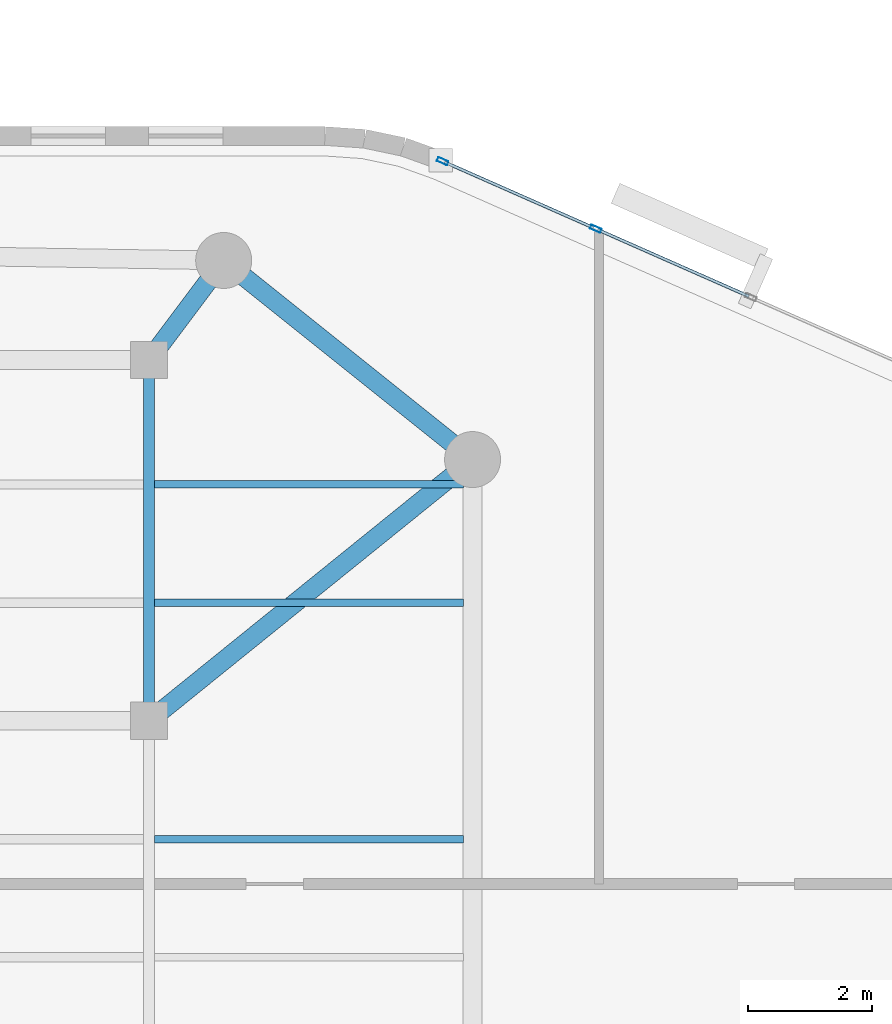
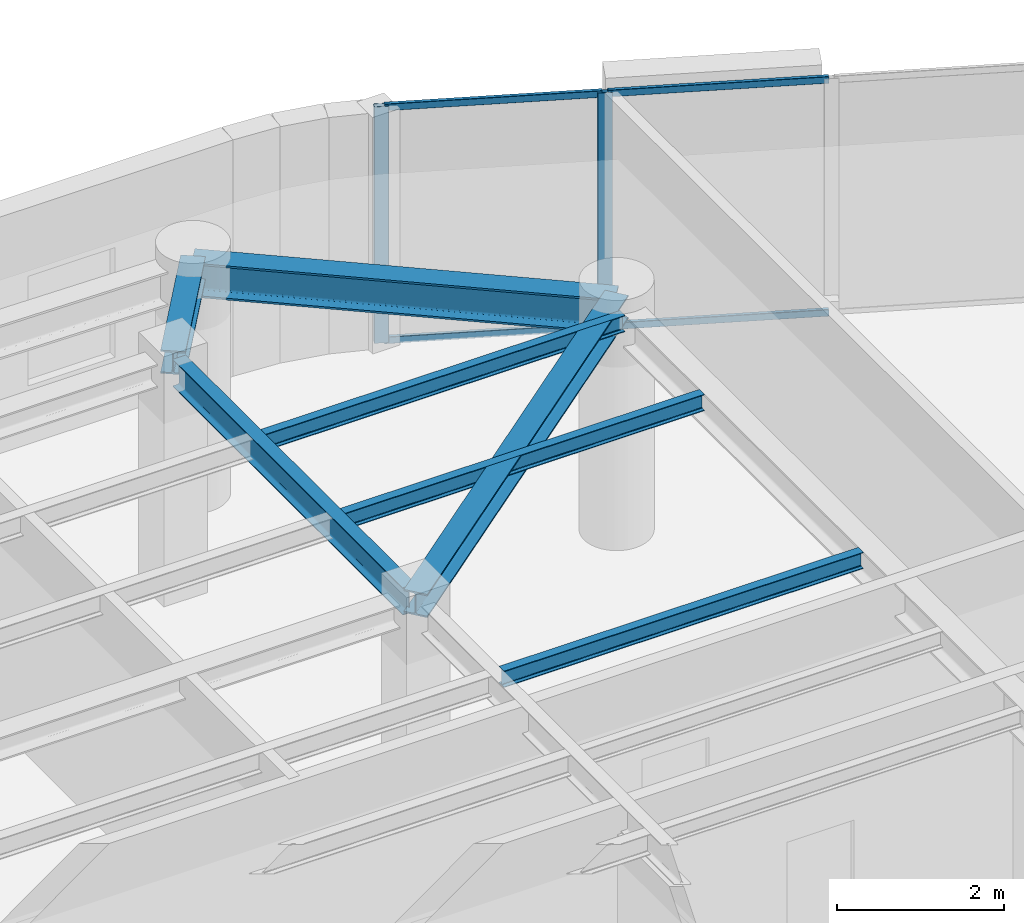
# One storey, part 5 of 14: 7 beams, 6 members, 1 element without a shape of its own.
"""IFC4 building model written with IfcOpenShell, lengths in metres."""

from ifc_helpers import new_model, si_unit, direction, frame, origin, origin_2d, place, context, subcontext, project, spatial, hollow_rectangle, i_section, extrude, material, layer, layer_set, material_profile, profile_set, type_object, element, aggregate, save


model = new_model("IFC4")

# Units and contexts
model_context = context("Model", 3, precision=1e-05, world=origin(), true_north=direction((0.0, 1.0)))
body_context = subcontext(model_context, "Body", "Model", "MODEL_VIEW")
ifc_project = project(units=[si_unit("LENGTHUNIT", "METRE"), si_unit("AREAUNIT", "SQUARE_METRE"), si_unit("VOLUMEUNIT", "CUBIC_METRE"), si_unit("PLANEANGLEUNIT", "RADIAN"), si_unit("MASSUNIT", "GRAM", prefix="KILO")], contexts=[model_context])

# Site, building, storey
site_placement = place(None, origin())
site = spatial("IfcSite", under=ifc_project, at=site_placement, CompositionType="ELEMENT")
building_placement = place(site_placement, origin())
building = spatial("IfcBuilding", under=site, at=building_placement, Name="An Khanh Terracotta Commons", CompositionType="ELEMENT")
storey_placement = place(building_placement, frame((0.0, 0.0, 280.699951171875)))
storey = spatial("IfcBuildingStorey", under=building, at=storey_placement, Name="L73", CompositionType="ELEMENT", Elevation=280.699951171875)

# Beams
ifc_material_1 = material(Name="Steel S355J2", Category="steel")
ifc_material_profile_1 = material_profile(ifc_material_1, i_section(OverallWidth=0.300048828125, OverallDepth=0.340087890625, WebThickness=0.011962890625, FlangeThickness=0.021484375, FilletRadius=0.027099609375, at=origin_2d()), Name="HEB340")
ifc_profile_set_1 = profile_set([ifc_material_profile_1], Name="Steel S355J2")
beam_type_1 = type_object("IfcBeamType", Name="BM-HEB340", PredefinedType="BEAM", material=ifc_profile_set_1)
beam_1_placement = place(storey_placement, frame((63.39990234375, 32.0, 3.280029296875), z_axis=(-0.777941866883, -0.628336256913, 0.0), x_axis=(0.628336256913, -0.777941866883, 0.0)))
element("IfcBeam", 1, at=beam_1_placement, inside=storey, type_object=beam_type_1, Name="L73 Mega-Column Tie Girder 4", PredefinedType="BEAM", context=body_context, shape_type="SweptSolid", body=[
    extrude(i_section(OverallWidth=0.300048828125, OverallDepth=0.340087890625, WebThickness=0.011962890625, FlangeThickness=0.021484375, FilletRadius=0.027099609375, at=origin_2d()), origin(), (0.0, 0.0, 1.0), 6.684326171875),
])
beam_2_placement = place(storey_placement, frame((59.39990234375, 35.199951171875, 3.280029296875), z_axis=(-0.600019532502, -0.799985350251, 0.0), x_axis=(0.799985350251, -0.600019532502, 0.0)))
element("IfcBeam", 2, at=beam_2_placement, inside=storey, type_object=beam_type_1, Name="L73 Mega-Column Tie Girder 5", PredefinedType="BEAM", context=body_context, shape_type="SweptSolid", body=[
    extrude(i_section(OverallWidth=0.300048828125, OverallDepth=0.340087890625, WebThickness=0.011962890625, FlangeThickness=0.021484375, FilletRadius=0.027099609375, at=origin_2d()), origin(), (0.0, 0.0, 1.0), 1.999755859375),
])
ifc_material_profile_2 = material_profile(ifc_material_1, i_section(OverallWidth=0.300048828125, OverallDepth=0.5, WebThickness=0.014404296875, FlangeThickness=0.028076171875, FilletRadius=0.027099609375, at=origin_2d()), Name="HEB500")
ifc_profile_set_2 = profile_set([ifc_material_profile_2], Name="Steel S355J2")
beam_type_2 = type_object("IfcBeamType", Name="BM-HEB500", PredefinedType="BEAM", material=ifc_profile_set_2)
beam_3_placement = place(storey_placement, frame((63.39990234375, 32.0, 3.199951171875), z_axis=(-0.780873459249, 0.624689235253, 0.0), x_axis=(-0.624689235253, -0.780873459249, 0.0)))
element("IfcBeam", 3, at=beam_3_placement, inside=storey, type_object=beam_type_2, Name="L73 Perimeter Ring Spandrel 4", PredefinedType="BEAM", context=body_context, shape_type="SweptSolid", body=[
    extrude(i_section(OverallWidth=0.300048828125, OverallDepth=0.5, WebThickness=0.014404296875, FlangeThickness=0.028076171875, FilletRadius=0.027099609375, at=origin_2d()), origin(), (0.0, 0.0, 1.0), 5.12255859375),
])
ifc_material_profile_3 = material_profile(ifc_material_1, i_section(OverallWidth=0.1201171875, OverallDepth=0.239990234375, WebThickness=0.006103515625, FlangeThickness=0.009765625, FilletRadius=0.014892578125, at=origin_2d()), Name="IPE240")
ifc_profile_set_3 = profile_set([ifc_material_profile_3], Name="Steel S355J2")
beam_type_3 = type_object("IfcBeamType", Name="BM-IPE240", PredefinedType="JOIST", material=ifc_profile_set_3)
for number, where, z_axis, x_axis, name in (
    (4, (58.2900390625, 25.89990234375, 3.330078125), (1.0, 0.0, 0.0), (0.0, 1.0, 0.0), "L73 Riverfront Composite Joist 5"),
    (5, (58.2900390625, 29.699951171875, 3.330078125), (1.0, 0.0, 0.0), (0.0, 1.0, 0.0), "L73 Riverfront Composite Joist 6"),
    (6, (58.2900390625, 31.60009765625, 3.330078125), (1.0, 0.0, 0.0), (0.0, 1.0, 0.0), "L73 Riverfront Composite Joist 7"),
):
    element("IfcBeam", number, at=place(storey_placement, frame(where, z_axis=z_axis, x_axis=x_axis)), inside=storey, type_object=beam_type_3, Name=name, PredefinedType="JOIST", context=body_context, shape_type="SweptSolid", body=[
        extrude(i_section(OverallWidth=0.1201171875, OverallDepth=0.239990234375, WebThickness=0.006103515625, FlangeThickness=0.009765625, FilletRadius=0.014892578125, at=origin_2d()), origin(), (0.0, 0.0, 1.0), 4.9599609375),
    ])
ifc_material_profile_4 = material_profile(ifc_material_1, i_section(OverallWidth=0.179931640625, OverallDepth=0.39990234375, WebThickness=0.008544921875, FlangeThickness=0.013427734375, FilletRadius=0.02099609375, at=origin_2d()), Name="IPE400")
ifc_profile_set_4 = profile_set([ifc_material_profile_4], Name="Steel S355J2")
beam_type_4 = type_object("IfcBeamType", Name="BM-IPE400", PredefinedType="JOIST", material=ifc_profile_set_4)
beam_4_placement = place(storey_placement, frame((58.199951171875, 27.949951171875, 3.25), z_axis=(0.0, 1.0, 0.0), x_axis=(-1.0, 0.0, 0.0)))
element("IfcBeam", 7, at=beam_4_placement, inside=storey, type_object=beam_type_4, Name="L73 East Spine Girder 3", PredefinedType="JOIST", context=body_context, shape_type="SweptSolid", body=[
    extrude(i_section(OverallWidth=0.179931640625, OverallDepth=0.39990234375, WebThickness=0.008544921875, FlangeThickness=0.013427734375, FilletRadius=0.02099609375, at=origin_2d()), origin(), (0.0, 0.0, 1.0), 5.5),
])

# Curtain wall, members
ifc_material_2 = material(Name="Anodised Aluminium 6063-T6", Category="aluminium")
ifc_layer = layer(ifc_material_2, 0.2099609375, Name="Anodised Aluminium 6063-T6")
ifc_layer_set = layer_set([ifc_layer], Name="Anodised Aluminium 6063-T6")
curtain_wall_type = type_object("IfcCurtainWallType", Name="CW-SYS-03", PredefinedType="USERDEFINED", material=ifc_layer_set)
curtain_wall_placement = place(storey_placement, origin())
curtain_wall = element("IfcCurtainWall", 8, at=curtain_wall_placement, inside=storey, type_object=curtain_wall_type, Name="L73 CW-03 Unitised Curtain Wall CW-L73-16", ObjectType="UNITISED CURTAIN WALL", PredefinedType="USERDEFINED")
ifc_material_profile_5 = material_profile(ifc_material_2, hollow_rectangle(XDim=0.070068359375, YDim=0.179931640625, WallThickness=0.00390625, InnerFilletRadius=0.00390625, OuterFilletRadius=0.008056640625, at=origin_2d()), Name="RHS180x70x4")
ifc_profile_set_5 = profile_set([ifc_material_profile_5], Name="Anodised Aluminium 6063-T6")
member_type_1 = type_object("IfcMemberType", Name="CWM-RHS180x70x4", PredefinedType="MULLION", material=ifc_profile_set_5)
member_1_placement = place(storey_placement, frame((65.37939453125, 35.709228515625, 0.0), z_axis=(0.0, 0.0, 1.0), x_axis=(-0.403676354285, -0.914901853201, 0.0)))
member_1 = element("IfcMember", 9, at=member_1_placement, type_object=member_type_1, Name="CW-03 mullion 4", PredefinedType="MULLION", context=body_context, shape_type="SweptSolid", body=[
    extrude(hollow_rectangle(XDim=0.070068359375, YDim=0.179931640625, WallThickness=0.00390625, InnerFilletRadius=0.00390625, OuterFilletRadius=0.008056640625, at=origin_2d()), origin(), (0.0, 0.0, 1.0), 3.449951171875),
])
member_2_placement = place(storey_placement, frame((62.9189453125, 36.794921875, 0.0), z_axis=(0.0, 0.0, 1.0), x_axis=(-0.403676354285, -0.914901853201, 0.0)))
member_2 = element("IfcMember", 10, at=member_2_placement, type_object=member_type_1, Name="CW-03 mullion 5", PredefinedType="MULLION", context=body_context, shape_type="SweptSolid", body=[
    extrude(hollow_rectangle(XDim=0.070068359375, YDim=0.179931640625, WallThickness=0.00390625, InnerFilletRadius=0.00390625, OuterFilletRadius=0.008056640625, at=origin_2d()), origin(), (0.0, 0.0, 1.0), 3.449951171875),
])
ifc_material_profile_6 = material_profile(ifc_material_2, hollow_rectangle(XDim=0.050048828125, YDim=0.10009765625, WallThickness=0.003173828125, InnerFilletRadius=0.003173828125, OuterFilletRadius=0.00634765625, at=origin_2d()), Name="RHS100x50x3.2")
ifc_profile_set_6 = profile_set([ifc_material_profile_6], Name="Anodised Aluminium 6063-T6")
member_type_2 = type_object("IfcMemberType", Name="CWT-RHS100x50x3.2", PredefinedType="USERDEFINED", material=ifc_profile_set_6)
member_3_placement = place(storey_placement, frame((67.840087890625, 34.62353515625, 0.025146484375), z_axis=(-0.914896820753, 0.403687759755, 0.0), x_axis=(-0.403687759755, -0.914896820753, 0.0)))
member_3 = element("IfcMember", 11, at=member_3_placement, type_object=member_type_2, Name="CW-03 transom 3.1", ObjectType="TRANSOM", PredefinedType="USERDEFINED", context=body_context, shape_type="SweptSolid", body=[
    extrude(hollow_rectangle(XDim=0.050048828125, YDim=0.10009765625, WallThickness=0.003173828125, InnerFilletRadius=0.003173828125, OuterFilletRadius=0.00634765625, at=origin_2d()), origin(), (0.0, 0.0, 1.0), 2.654296875),
])
member_4_placement = place(storey_placement, frame((67.840087890625, 34.62353515625, 3.425048828125), z_axis=(-0.914896820753, 0.403687759755, 0.0), x_axis=(-0.403687759755, -0.914896820753, 0.0)))
member_4 = element("IfcMember", 12, at=member_4_placement, type_object=member_type_2, Name="CW-03 transom 3.2", ObjectType="TRANSOM", PredefinedType="USERDEFINED", context=body_context, shape_type="SweptSolid", body=[
    extrude(hollow_rectangle(XDim=0.050048828125, YDim=0.10009765625, WallThickness=0.003173828125, InnerFilletRadius=0.003173828125, OuterFilletRadius=0.00634765625, at=origin_2d()), origin(), (0.0, 0.0, 1.0), 2.654296875),
])
member_5_placement = place(storey_placement, frame((65.347412109375, 35.723388671875, 0.025146484375), z_axis=(-0.914903627858, 0.403672332137, 0.0), x_axis=(-0.403672332137, -0.914903627858, 0.0)))
member_5 = element("IfcMember", 13, at=member_5_placement, type_object=member_type_2, Name="CW-03 transom 4.1", ObjectType="TRANSOM", PredefinedType="USERDEFINED", context=body_context, shape_type="SweptSolid", body=[
    extrude(hollow_rectangle(XDim=0.050048828125, YDim=0.10009765625, WallThickness=0.003173828125, InnerFilletRadius=0.003173828125, OuterFilletRadius=0.00634765625, at=origin_2d()), origin(), (0.0, 0.0, 1.0), 2.619384765625),
])
member_6_placement = place(storey_placement, frame((65.347412109375, 35.723388671875, 3.425048828125), z_axis=(-0.914903627858, 0.403672332137, 0.0), x_axis=(-0.403672332137, -0.914903627858, 0.0)))
member_6 = element("IfcMember", 14, at=member_6_placement, type_object=member_type_2, Name="CW-03 transom 4.2", ObjectType="TRANSOM", PredefinedType="USERDEFINED", context=body_context, shape_type="SweptSolid", body=[
    extrude(hollow_rectangle(XDim=0.050048828125, YDim=0.10009765625, WallThickness=0.003173828125, InnerFilletRadius=0.003173828125, OuterFilletRadius=0.00634765625, at=origin_2d()), origin(), (0.0, 0.0, 1.0), 2.619384765625),
])
aggregate(curtain_wall, [member_1, member_2, member_3, member_4, member_5, member_6])

save(model, "model.ifc")
